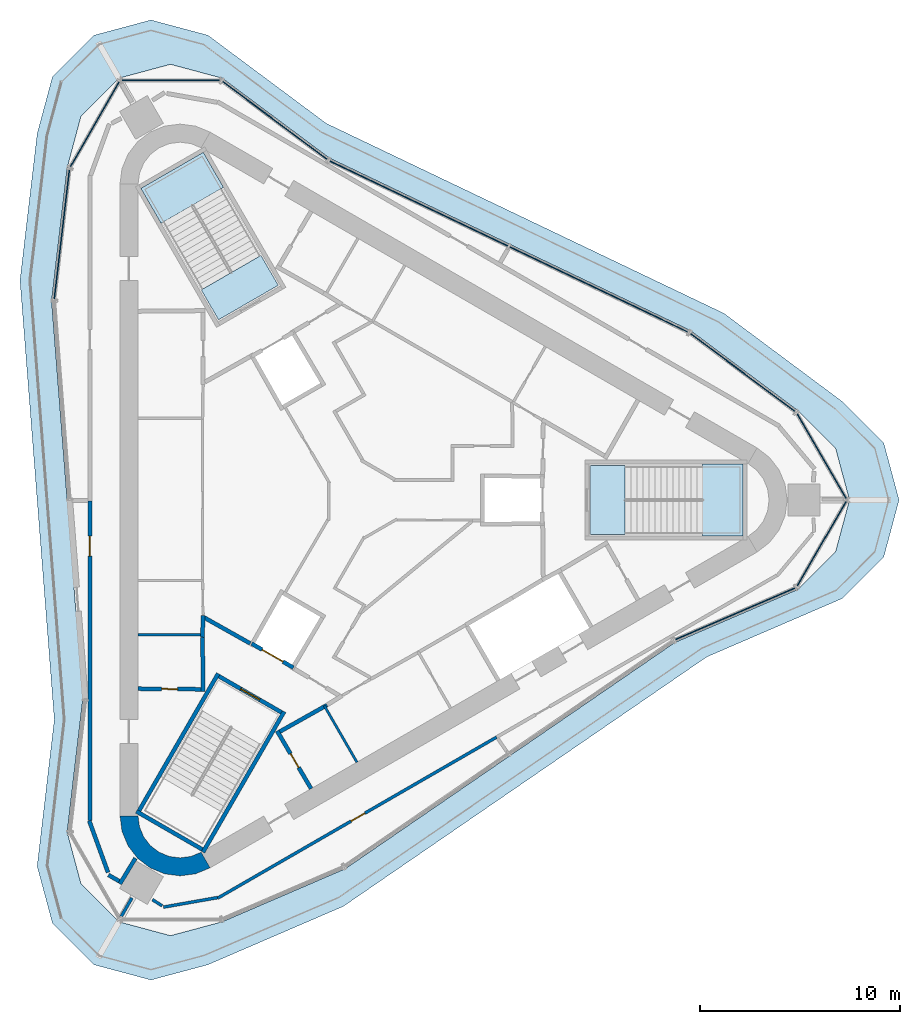
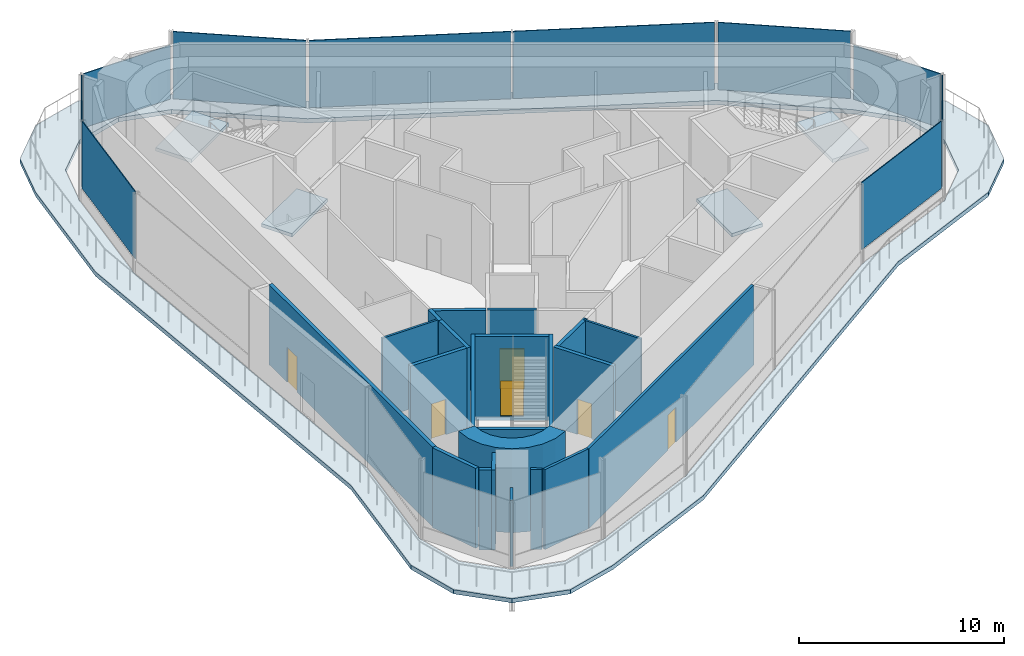
# One storey, part 3 of 9: 22 walls, 10 plates, 6 doors, 5 slabs, 6 openings, 11 elements without a shape of their own.
"""IFC4 building model written with IfcOpenShell, lengths in metres."""

from ifc_helpers import new_model, si_unit, direction, frame, frame_2d, origin, origin_2d, place, context, subcontext, project, spatial, polyline, rectangle, outline, extrude, material, layer, layer_set, type_object, element, fill, aggregate, save


model = new_model("IFC4")

# Units and contexts
model_context = context("Model", 3, precision=1e-05, world=origin(), true_north=direction((0.0, 1.0)))
body_context = subcontext(model_context, "Body", "Model", "MODEL_VIEW")
ifc_project = project(units=[si_unit("LENGTHUNIT", "METRE"), si_unit("AREAUNIT", "SQUARE_METRE"), si_unit("VOLUMEUNIT", "CUBIC_METRE"), si_unit("PLANEANGLEUNIT", "RADIAN"), si_unit("MASSUNIT", "GRAM", prefix="KILO")], contexts=[model_context])

# Site, building, storey
site_placement = place(None, origin())
site = spatial("IfcSite", under=ifc_project, at=site_placement, CompositionType="ELEMENT")
building_placement = place(site_placement, origin())
building = spatial("IfcBuilding", under=site, at=building_placement, Name="Tanit Gate Tower", CompositionType="ELEMENT")
storey_placement = place(building_placement, frame((0.0, 0.0, 430.300048828125)))
storey = spatial("IfcBuildingStorey", under=building, at=storey_placement, Name="L97", CompositionType="ELEMENT", Elevation=430.300048828125)

# Stair, slab
ifc_material_1 = material(Name="Concrete C40/50", Category="concrete")
stair_type = type_object("IfcStairType", Name="INT-STAIR-EXIT", PredefinedType="HALF_TURN_STAIR", material=ifc_material_1)
stair_1_placement = place(storey_placement, origin())
stair_1 = element("IfcStair", 1, at=stair_1_placement, inside=storey, type_object=stair_type, Name="L97 STAIR S1", PredefinedType="HALF_TURN_STAIR")
ifc_material_2 = material(Name="Concrete C40/50", Category="concrete")
ifc_layer_1 = layer(ifc_material_2, 0.199951171875)
ifc_layer_set_1 = layer_set([ifc_layer_1], Name="INT-STAIR-LANDING")
slab_type_1 = type_object("IfcSlabType", Name="INT-STAIR-LANDING", PredefinedType="LANDING", material=ifc_layer_set_1)
slab_1_placement = place(storey_placement, frame((0.0, 0.0, 2.300048828125)))
slab_1 = element("IfcSlab", 2, at=slab_1_placement, type_object=slab_type_1, Name="S1 landing 1", PredefinedType="LANDING", context=body_context, shape_type="SweptSolid", body=[
    extrude(outline(polyline([(16.985107421875, -1.800048828125), (19.0, -1.800048828125), (19.0, 1.800048828125), (16.985107421875, 1.800048828125), (16.985107421875, -1.800048828125)])), origin(), (0.0, 0.0, 1.0), 0.199951171875),
])
aggregate(stair_1, [slab_1])

# Slab
slab_2_placement = place(storey_placement, frame((0.0, 0.0, -0.199951171875)))
element("IfcSlab", 3, at=slab_2_placement, inside=storey, type_object=slab_type_1, Name="S1 floor landing", PredefinedType="LANDING", context=body_context, shape_type="SweptSolid", body=[
    extrude(outline(polyline([(11.3798828125, -1.719970703125), (13.10498046875, -1.719970703125), (13.10498046875, 1.719970703125), (11.3798828125, 1.719970703125), (11.3798828125, -1.719970703125)])), origin(), (0.0, 0.0, 1.0), 0.199951171875),
])

# Stair, slab
stair_2_placement = place(storey_placement, origin())
stair_2 = element("IfcStair", 4, at=stair_2_placement, inside=storey, type_object=stair_type, Name="L97 STAIR S2", PredefinedType="HALF_TURN_STAIR")
slab_3_placement = place(storey_placement, frame((0.0, 0.0, 2.300048828125)))
slab_3 = element("IfcSlab", 5, at=slab_3_placement, type_object=slab_type_1, Name="S2 landing 1", PredefinedType="LANDING", context=body_context, shape_type="SweptSolid", body=[
    extrude(outline(polyline([(-6.93310546875, 15.608642578125), (-7.941162109375, 17.3544921875), (-11.058837890625, 15.554443359375), (-10.05078125, 13.80859375), (-6.93310546875, 15.608642578125)])), origin(), (0.0, 0.0, 1.0), 0.199951171875),
])
aggregate(stair_2, [slab_3])

# Slab
slab_4_placement = place(storey_placement, frame((0.0, 0.0, -0.199951171875)))
element("IfcSlab", 6, at=slab_4_placement, inside=storey, type_object=slab_type_1, Name="S2 floor landing", PredefinedType="LANDING", context=body_context, shape_type="SweptSolid", body=[
    extrude(outline(polyline([(-4.200439453125, 10.71533203125), (-5.0625, 12.20849609375), (-8.04150390625, 10.48828125), (-7.179443359375, 8.995361328125), (-4.200439453125, 10.71533203125)])), origin(), (0.0, 0.0, 1.0), 0.199951171875),
])

# Curtain wall, plate
ifc_material_3 = material(Name="Aluminium bronze anodised and glass", Category="aluminium")
curtain_wall_type = type_object("IfcCurtainWallType", Name="Curtain wall plant screen", PredefinedType="NOTDEFINED", material=ifc_material_3)
curtain_wall_1_placement = place(storey_placement, origin())
curtain_wall_1 = element("IfcCurtainWall", 7, at=curtain_wall_1_placement, inside=storey, type_object=curtain_wall_type, Name="Curtain wall L97 NE1", PredefinedType="NOTDEFINED")
ifc_material_4 = material(Name="Aluminium bronze anodised louvre", Category="aluminium")
ifc_layer_2 = layer(ifc_material_4, 0.050048828125)
ifc_layer_set_2 = layer_set([ifc_layer_2], Name="Louvre panel 50 plant screen")
plate_type = type_object("IfcPlateType", Name="Louvre panel 50 plant screen", PredefinedType="CURTAIN_PANEL", material=ifc_layer_set_2)
plate_1_placement = place(storey_placement, frame((18.9833984375, 6.3642578125, 0.75), z_axis=(0.0, 0.0, 1.0), x_axis=(-0.801987717098, 0.59734052401, 0.0)))
plate_1 = element("IfcPlate", 8, at=plate_1_placement, type_object=plate_type, Name="Louvre panel L97 NE1.1", PredefinedType="CURTAIN_PANEL", context=body_context, shape_type="SweptSolid", body=[
    extrude(rectangle(XDim=6.5, YDim=0.050048828125, at=origin_2d()), origin(), (0.0, 0.0, 1.0), 4.0),
])
aggregate(curtain_wall_1, [plate_1])

# Curtain wall, plates
curtain_wall_2_placement = place(storey_placement, origin())
curtain_wall_2 = element("IfcCurtainWall", 9, at=curtain_wall_2_placement, inside=storey, type_object=curtain_wall_type, Name="Curtain wall L97 NE2", PredefinedType="NOTDEFINED")
plate_2_placement = place(storey_placement, frame((11.79052734375, 10.513671875, 0.75), z_axis=(0.0, 0.0, 1.0), x_axis=(-0.902317145415, 0.431072811819, 0.0)))
plate_2 = element("IfcPlate", 10, at=plate_2_placement, type_object=plate_type, Name="Louvre panel L97 NE2.1", PredefinedType="CURTAIN_PANEL", context=body_context, shape_type="SweptSolid", body=[
    extrude(rectangle(XDim=9.863037109375, YDim=0.050048828125, at=origin_2d()), origin(), (0.0, 0.0, 1.0), 4.0),
])
plate_3_placement = place(storey_placement, frame((2.81884765625, 14.7998046875, 0.75), z_axis=(0.0, 0.0, 1.0), x_axis=(-0.902317145415, 0.431072811819, 0.0)))
plate_3 = element("IfcPlate", 11, at=plate_3_placement, type_object=plate_type, Name="Louvre panel L97 NE2.2", PredefinedType="CURTAIN_PANEL", context=body_context, shape_type="SweptSolid", body=[
    extrude(rectangle(XDim=9.863037109375, YDim=0.050048828125, at=origin_2d()), origin(), (0.0, 0.0, 1.0), 4.0),
])
aggregate(curtain_wall_2, [plate_2, plate_3])

# Curtain wall, plate
curtain_wall_3_placement = place(storey_placement, origin())
curtain_wall_3 = element("IfcCurtainWall", 12, at=curtain_wall_3_placement, inside=storey, type_object=curtain_wall_type, Name="Curtain wall L97 NE3", PredefinedType="NOTDEFINED")
plate_4_placement = place(storey_placement, frame((-4.37744140625, 18.9521484375, 0.75), z_axis=(0.0, 0.0, 1.0), x_axis=(-0.801987717098, 0.59734052401, 0.0)))
plate_4 = element("IfcPlate", 13, at=plate_4_placement, type_object=plate_type, Name="Louvre panel L97 NE3.1", PredefinedType="CURTAIN_PANEL", context=body_context, shape_type="SweptSolid", body=[
    extrude(rectangle(XDim=6.50927734375, YDim=0.050048828125, at=origin_2d()), origin(), (0.0, 0.0, 1.0), 4.0),
])
aggregate(curtain_wall_3, [plate_4])

curtain_wall_4_placement = place(storey_placement, origin())
curtain_wall_4 = element("IfcCurtainWall", 14, at=curtain_wall_4_placement, inside=storey, type_object=curtain_wall_type, Name="Curtain wall L97 NW.arc1", PredefinedType="NOTDEFINED")
plate_5_placement = place(storey_placement, frame((-9.57275390625, 20.9453125, 0.75), z_axis=(0.0, 0.0, 1.0), x_axis=(-0.99999988904, 0.000471083302, 0.0)))
plate_5 = element("IfcPlate", 15, at=plate_5_placement, type_object=plate_type, Name="Louvre panel L97 NW.arc1.1", PredefinedType="CURTAIN_PANEL", context=body_context, shape_type="SweptSolid", body=[
    extrude(rectangle(XDim=4.881591796875, YDim=0.050048828125, at=origin_2d()), origin(), (0.0, 0.0, 1.0), 3.2099609375),
])
aggregate(curtain_wall_4, [plate_5])

curtain_wall_5_placement = place(storey_placement, origin())
curtain_wall_5 = element("IfcCurtainWall", 16, at=curtain_wall_5_placement, inside=storey, type_object=curtain_wall_type, Name="Curtain wall L97 NW.arc2", PredefinedType="NOTDEFINED")
plate_6_placement = place(storey_placement, frame((-13.354736328125, 18.755859375, 0.75), z_axis=(0.0, 0.0, 1.0), x_axis=(-0.498960988441, -0.866624446929, 0.0)))
plate_6 = element("IfcPlate", 17, at=plate_6_placement, type_object=plate_type, Name="Louvre panel L97 NW.arc2.1", PredefinedType="CURTAIN_PANEL", context=body_context, shape_type="SweptSolid", body=[
    extrude(rectangle(XDim=4.895263671875, YDim=0.050048828125, at=origin_2d()), origin(), (0.0, 0.0, 1.0), 3.2099609375),
])
aggregate(curtain_wall_5, [plate_6])

curtain_wall_6_placement = place(storey_placement, origin())
curtain_wall_6 = element("IfcCurtainWall", 18, at=curtain_wall_6_placement, inside=storey, type_object=curtain_wall_type, Name="Curtain wall L97 W1", PredefinedType="NOTDEFINED")
plate_7_placement = place(storey_placement, frame((-15.003173828125, 13.2578125, 0.75), z_axis=(0.0, 0.0, 1.0), x_axis=(-0.116318209953, -0.993211998535, 0.0)))
plate_7 = element("IfcPlate", 19, at=plate_7_placement, type_object=plate_type, Name="Louvre panel L97 W1.1", PredefinedType="CURTAIN_PANEL", context=body_context, shape_type="SweptSolid", body=[
    extrude(rectangle(XDim=6.5, YDim=0.050048828125, at=origin_2d()), origin(), (0.0, 0.0, 1.0), 4.0),
])
aggregate(curtain_wall_6, [plate_7])

curtain_wall_7_placement = place(storey_placement, origin())
curtain_wall_7 = element("IfcCurtainWall", 20, at=curtain_wall_7_placement, inside=storey, type_object=curtain_wall_type, Name="Curtain wall L97 SE3", PredefinedType="NOTDEFINED")
plate_8_placement = place(storey_placement, frame((18.601806640625, -5.68505859375, 0.75), z_axis=(0.0, 0.0, 1.0), x_axis=(0.918305927051, 0.395871474525, 0.0)))
plate_8 = element("IfcPlate", 21, at=plate_8_placement, type_object=plate_type, Name="Louvre panel L97 SE3.1", PredefinedType="CURTAIN_PANEL", context=body_context, shape_type="SweptSolid", body=[
    extrude(rectangle(XDim=6.50927734375, YDim=0.050048828125, at=origin_2d()), origin(), (0.0, 0.0, 1.0), 4.0),
])
aggregate(curtain_wall_7, [plate_8])

curtain_wall_8_placement = place(storey_placement, origin())
curtain_wall_8 = element("IfcCurtainWall", 22, at=curtain_wall_8_placement, inside=storey, type_object=curtain_wall_type, Name="Curtain wall L97 E.arc1", PredefinedType="NOTDEFINED")
plate_9_placement = place(storey_placement, frame((22.925537109375, -2.182373046875, 0.75), z_axis=(0.0, 0.0, 1.0), x_axis=(0.500407914627, 0.865789766039, 0.0)))
plate_9 = element("IfcPlate", 23, at=plate_9_placement, type_object=plate_type, Name="Louvre panel L97 E.arc1.1", PredefinedType="CURTAIN_PANEL", context=body_context, shape_type="SweptSolid", body=[
    extrude(rectangle(XDim=4.881591796875, YDim=0.050048828125, at=origin_2d()), origin(), (0.0, 0.0, 1.0), 3.2099609375),
])
aggregate(curtain_wall_8, [plate_9])

curtain_wall_9_placement = place(storey_placement, origin())
curtain_wall_9 = element("IfcCurtainWall", 24, at=curtain_wall_9_placement, inside=storey, type_object=curtain_wall_type, Name="Curtain wall L97 E.arc2", PredefinedType="NOTDEFINED")
plate_10_placement = place(storey_placement, frame((22.92041015625, 2.1875, 0.75), z_axis=(0.0, 0.0, 1.0), x_axis=(-0.50103829236, 0.865425114951, 0.0)))
plate_10 = element("IfcPlate", 25, at=plate_10_placement, type_object=plate_type, Name="Louvre panel L97 E.arc2.1", PredefinedType="CURTAIN_PANEL", context=body_context, shape_type="SweptSolid", body=[
    extrude(rectangle(XDim=4.895263671875, YDim=0.050048828125, at=origin_2d()), origin(), (0.0, 0.0, 1.0), 3.2099609375),
])
aggregate(curtain_wall_9, [plate_10])

# Slab
ifc_material_5 = material(Name="Concrete C35/45", Category="concrete")
ifc_layer_3 = layer(ifc_material_5, 0.25)
ifc_layer_set_3 = layer_set([ifc_layer_3], Name="TERRACE SLAB 250 C35/45")
slab_type_2 = type_object("IfcSlabType", Name="TERRACE SLAB 250 C35/45", PredefinedType="FLOOR", material=ifc_layer_set_3)
slab_5_placement = place(storey_placement, frame((0.0, 0.0, -0.25)))
element("IfcSlab", 26, at=slab_5_placement, inside=storey, type_object=slab_type_2, Name="TERRACE SLAB L97", PredefinedType="FLOOR", context=body_context, shape_type="SweptSolid", body=[
    extrude(outline(polyline([(26.02490234375, 2.8408203125), (26.7861328125, 0.0), (26.02490234375, -2.8408203125), (23.945068359375, -4.920654296875), (17.185791015625, -7.83447265625), (-0.951904296875, -20.283447265625), (-7.711181640625, -23.197509765625), (-10.552001953125, -23.95849609375), (-13.39306640625, -23.197509765625), (-15.47265625, -21.11767578125), (-16.23388671875, -18.276611328125), (-15.377685546875, -10.966064453125), (-17.090087890625, 10.966064453125), (-16.23388671875, 18.276611328125), (-15.47265625, 21.11767578125), (-13.39306640625, 23.197509765625), (-10.552001953125, 23.95849609375), (-7.711181640625, 23.197509765625), (-1.80810546875, 18.800537109375), (18.0419921875, 9.3173828125), (23.945068359375, 4.920654296875), (26.02490234375, 2.8408203125)]), holes=[polyline([(16.375, 8.45654296875), (-1.640869140625, 17.0634765625), (-6.99853515625, 21.053955078125), (-9.5771484375, 21.744873046875), (-12.155517578125, 21.053955078125), (-14.043212890625, 19.16650390625), (-14.73388671875, 16.587890625), (-15.510986328125, 9.952880859375), (-13.956787109375, -9.952880859375), (-14.73388671875, -16.587890625), (-14.043212890625, -19.16650390625), (-12.155517578125, -21.053955078125), (-9.5771484375, -21.744873046875), (-6.99853515625, -21.053955078125), (-0.864013671875, -18.409423828125), (15.597900390625, -7.110595703125), (21.732666015625, -4.466064453125), (23.6201171875, -2.578369140625), (24.31103515625, 0.0), (23.6201171875, 2.578369140625), (21.732666015625, 4.466064453125), (16.375, 8.45654296875)])]), origin(), (0.0, 0.0, 1.0), 0.25),
])

# Walls
ifc_material_6 = material(Name="Concrete C40/50", Category="concrete")
ifc_layer_4 = layer(ifc_material_6, 0.89990234375)
ifc_layer_set_4 = layer_set([ifc_layer_4], Name="CORE WALL 900 C40/50")
wall_type_1 = type_object("IfcWallType", Name="CORE WALL 900 C40/50", PredefinedType="SHEAR", material=ifc_layer_set_4)
wall_1_placement = place(storey_placement, origin())
element("IfcWall", 27, at=wall_1_placement, inside=storey, type_object=wall_type_1, Name="CORE WALL CORNER", PredefinedType="SHEAR", context=body_context, shape_type="SweptSolid", body=[
    extrude(outline(polyline([(-12.10009765625, -15.76171875), (-11.997802734375, -16.5380859375), (-11.697998046875, -17.26171875), (-11.22119140625, -17.883056640625), (-10.60009765625, -18.359619140625), (-9.87646484375, -18.659423828125), (-9.10009765625, -18.76171875), (-8.323486328125, -18.659423828125), (-7.60009765625, -18.359619140625), (-8.050048828125, -17.580322265625), (-8.556396484375, -17.7900390625), (-9.10009765625, -17.86181640625), (-9.6435546875, -17.7900390625), (-10.14990234375, -17.580322265625), (-10.5849609375, -17.24658203125), (-10.918701171875, -16.811767578125), (-11.12841796875, -16.30517578125), (-11.199951171875, -15.76171875), (-12.10009765625, -15.76171875)])), origin(), (0.0, 0.0, 1.0), 5.0),
])
ifc_material_7 = material(Name="Fire-rated gypsum board partition")
ifc_layer_5 = layer(ifc_material_7, 0.199951171875)
ifc_layer_set_5 = layer_set([ifc_layer_5], Name="INT-WALL-COMPARTMENT")
wall_type_2 = type_object("IfcWallType", Name="INT-WALL-COMPARTMENT", PredefinedType="PARTITIONING", material=ifc_layer_set_5)
wall_2_placement = place(storey_placement, frame((-7.983154296875, -6.849853515625, 0.0), z_axis=(0.0, 0.0, 1.0), x_axis=(0.030803413295, 0.999525462272, 0.0)))
element("IfcWall", 28, at=wall_2_placement, inside=storey, type_object=wall_type_2, Name="Wall Compartment W040", PredefinedType="PARTITIONING", context=body_context, shape_type="SweptSolid", body=[
    extrude(rectangle(XDim=1.077880859375, YDim=0.199951171875, at=frame_2d((0.5390625, 0.0))), origin(), (0.0, 0.0, 1.0), 4.75),
])
wall_3_placement = place(storey_placement, frame((-7.948974609375, -9.550048828125, 0.0), z_axis=(0.0, 0.0, 1.0), x_axis=(-0.011121475088, 0.999938154483, 0.0)))
element("IfcWall", 29, at=wall_3_placement, inside=storey, type_object=wall_type_2, Name="Wall Compartment W042", PredefinedType="PARTITIONING", context=body_context, shape_type="SweptSolid", body=[
    extrude(rectangle(XDim=2.7001953125, YDim=0.199951171875, at=frame_2d((1.35009765625, 0.0))), origin(), (0.0, 0.0, 1.0), 4.75),
])

# Wall, opening, door
wall_4_placement = place(storey_placement, frame((-11.199951171875, -9.419921875, 0.0), z_axis=(0.0, 0.0, 1.0), x_axis=(0.999957467379, -0.009222983926, 0.0)))
wall_4 = element("IfcWall", 30, at=wall_4_placement, inside=storey, type_object=wall_type_2, Name="Wall Compartment W043", PredefinedType="PARTITIONING", context=body_context, shape_type="SweptSolid", body=[
    extrude(rectangle(XDim=3.150146484375, YDim=0.199951171875, at=frame_2d((1.5751953125, 0.0))), origin(), (0.0, 0.0, 1.0), 4.75),
])
opening_1_placement = place(wall_4_placement, frame((1.175048828125, 0.0, 0.0)))
opening_1 = element("IfcOpeningElement", 31, at=opening_1_placement, cuts=wall_4, Name="Opening R08-97-17", PredefinedType="OPENING", context=body_context, shape_type="SweptSolid", body=[
    extrude(rectangle(XDim=0.800048828125, YDim=2.10009765625, at=frame_2d((0.39990234375, 1.050048828125))), frame((0.0, 0.10986328125, 0.0), z_axis=(0.0, -1.0, 0.0), x_axis=(1.0, 0.0, 0.0)), (0.0, 0.0, 1.0), 0.219970703125),
])
ifc_material_8 = material(Name="Timber door leaf", Category="wood")
door_type_1 = type_object("IfcDoorType", Name="INT-DOOR-RISER-800", OperationType="NOTDEFINED", PredefinedType="USERDEFINED", material=ifc_material_8)
door_1_placement = place(opening_1_placement, origin())
door_1 = element("IfcDoor", 32, at=door_1_placement, inside=storey, type_object=door_type_1, Name="Door R08-97-17", ObjectType="FIRE DOOR", OperationType="SINGLE_SWING_LEFT", OverallHeight=2.10009765625, OverallWidth=0.800048828125, PredefinedType="USERDEFINED", context=body_context, shape_type="SweptSolid", body=[
    extrude(rectangle(XDim=0.800048828125, YDim=2.10009765625, at=frame_2d((0.39990234375, 1.050048828125))), frame((0.0, 0.02490234375, 0.0), z_axis=(0.0, -1.0, 0.0), x_axis=(1.0, 0.0, 0.0)), (0.0, 0.0, 1.0), 0.050048828125),
])
fill(opening_1, door_1)

wall_5_placement = place(storey_placement, frame((-4.259765625, -11.523681640625, 0.0), z_axis=(0.0, 0.0, 1.0), x_axis=(0.507997497166, -0.861358544901, 0.0)))
wall_5 = element("IfcWall", 33, at=wall_5_placement, inside=storey, type_object=wall_type_2, Name="Wall Compartment W056", PredefinedType="PARTITIONING", context=body_context, shape_type="SweptSolid", body=[
    extrude(rectangle(XDim=3.350341796875, YDim=0.199951171875, at=frame_2d((1.67529296875, 0.0))), origin(), (0.0, 0.0, 1.0), 4.75),
])
opening_2_placement = place(wall_5_placement, frame((1.3251953125, 0.0, 0.0)))
opening_2 = element("IfcOpeningElement", 34, at=opening_2_placement, cuts=wall_5, Name="Opening R08-97-22", PredefinedType="OPENING", context=body_context, shape_type="SweptSolid", body=[
    extrude(rectangle(XDim=0.800048828125, YDim=2.10009765625, at=frame_2d((0.39990234375, 1.050048828125))), frame((0.0, 0.10986328125, 0.0), z_axis=(0.0, -1.0, 0.0), x_axis=(1.0, 0.0, 0.0)), (0.0, 0.0, 1.0), 0.219970703125),
])
door_2_placement = place(opening_2_placement, origin())
door_2 = element("IfcDoor", 35, at=door_2_placement, inside=storey, type_object=door_type_1, Name="Door R08-97-22", ObjectType="FIRE DOOR", OperationType="SINGLE_SWING_LEFT", OverallHeight=2.10009765625, OverallWidth=0.800048828125, PredefinedType="USERDEFINED", context=body_context, shape_type="SweptSolid", body=[
    extrude(rectangle(XDim=0.800048828125, YDim=2.10009765625, at=frame_2d((0.39990234375, 1.050048828125))), frame((0.0, 0.02490234375, 0.0), z_axis=(0.0, -1.0, 0.0), x_axis=(1.0, 0.0, 0.0)), (0.0, 0.0, 1.0), 0.050048828125),
])
fill(opening_2, door_2)

# Walls
wall_6_placement = place(storey_placement, frame((-1.7685546875, -10.23681640625, 0.0), z_axis=(0.0, 0.0, 1.0), x_axis=(-0.871534483978, -0.490334215854, 0.0)))
element("IfcWall", 36, at=wall_6_placement, inside=storey, type_object=wall_type_2, Name="Wall Compartment W057", PredefinedType="PARTITIONING", context=body_context, shape_type="SweptSolid", body=[
    extrude(rectangle(XDim=2.7001953125, YDim=0.199951171875, at=frame_2d((1.35009765625, 0.0))), origin(), (0.0, 0.0, 1.0), 4.75),
])
wall_7_placement = place(storey_placement, frame((-7.95947265625, -5.83154296875, 0.0), z_axis=(0.0, 0.0, 1.0), x_axis=(0.871322567751, -0.490710691679, 0.0)))
element("IfcWall", 37, at=wall_7_placement, inside=storey, type_object=wall_type_2, Name="Wall Compartment W069", PredefinedType="PARTITIONING", context=body_context, shape_type="SweptSolid", body=[
    extrude(rectangle(XDim=2.70751953125, YDim=0.199951171875, at=frame_2d((1.353759765625, 0.0))), origin(), (0.0, 0.0, 1.0), 4.75),
])
wall_8_placement = place(storey_placement, frame((-12.104248046875, -19.1611328125, 0.0), z_axis=(0.0, 0.0, 1.0), x_axis=(0.518475368733, 0.855092563421, 0.0)))
element("IfcWall", 38, at=wall_8_placement, inside=storey, type_object=wall_type_2, Name="Wall Compartment W092", PredefinedType="PARTITIONING", context=body_context, shape_type="SweptSolid", body=[
    extrude(rectangle(XDim=1.49560546875, YDim=0.199951171875, at=frame_2d((0.747802734375, 0.0))), origin(), (0.0, 0.0, 1.0), 4.75),
])
wall_9_placement = place(storey_placement, frame((-12.674560546875, -18.716552734375, 0.0), z_axis=(0.0, 0.0, 1.0), x_axis=(0.866047486323, -0.49996174997, 0.0)))
element("IfcWall", 39, at=wall_9_placement, inside=storey, type_object=wall_type_2, Name="Wall Compartment W093", PredefinedType="PARTITIONING", context=body_context, shape_type="SweptSolid", body=[
    extrude(rectangle(XDim=0.6181640625, YDim=0.199951171875, at=frame_2d((0.30908203125, 0.0))), origin(), (0.0, 0.0, 1.0), 4.75),
])
wall_10_placement = place(storey_placement, frame((-13.63427734375, -16.011474609375, 0.0), z_axis=(0.0, 0.0, 1.0), x_axis=(0.342043269434, -0.939684203248, 0.0)))
element("IfcWall", 40, at=wall_10_placement, inside=storey, type_object=wall_type_2, Name="Wall Compartment W094", PredefinedType="PARTITIONING", context=body_context, shape_type="SweptSolid", body=[
    extrude(rectangle(XDim=2.7421875, YDim=0.199951171875, at=frame_2d((1.37109375, 0.0))), origin(), (0.0, 0.0, 1.0), 4.75),
])

# Wall, opening, door
wall_11_placement = place(storey_placement, frame((-13.60009765625, -0.050048828125, 0.0), z_axis=(0.0, 0.0, 1.0), x_axis=(0.0, -1.0, 0.0)))
wall_11 = element("IfcWall", 41, at=wall_11_placement, inside=storey, type_object=wall_type_2, Name="Wall Compartment W095", PredefinedType="PARTITIONING", context=body_context, shape_type="SweptSolid", body=[
    extrude(rectangle(XDim=15.95556640625, YDim=0.199951171875, at=frame_2d((7.977783203125, 0.0))), origin(), (0.0, 0.0, 1.0), 4.75),
])
opening_3_placement = place(wall_11_placement, frame((1.75, 0.0, 0.0)))
opening_3 = element("IfcOpeningElement", 42, at=opening_3_placement, cuts=wall_11, Name="Opening F10-97-26", PredefinedType="OPENING", context=body_context, shape_type="SweptSolid", body=[
    extrude(rectangle(XDim=1.0, YDim=2.10009765625, at=frame_2d((0.5, 1.050048828125))), frame((0.0, 0.10986328125, 0.0), z_axis=(0.0, -1.0, 0.0), x_axis=(1.0, 0.0, 0.0)), (0.0, 0.0, 1.0), 0.219970703125),
])
ifc_material_9 = material(Name="Fire-rated steel door leaf", Category="steel")
door_type_2 = type_object("IfcDoorType", Name="INT-DOOR-FIRE-1000", OperationType="NOTDEFINED", PredefinedType="USERDEFINED", material=ifc_material_9)
door_3_placement = place(opening_3_placement, origin())
door_3 = element("IfcDoor", 43, at=door_3_placement, inside=storey, type_object=door_type_2, Name="Door F10-97-26", ObjectType="FIRE DOOR", OperationType="SINGLE_SWING_LEFT", OverallHeight=2.10009765625, OverallWidth=1.0, PredefinedType="USERDEFINED", context=body_context, shape_type="SweptSolid", body=[
    extrude(rectangle(XDim=1.0, YDim=2.10009765625, at=frame_2d((0.5, 1.050048828125))), frame((0.0, 0.02490234375, 0.0), z_axis=(0.0, -1.0, 0.0), x_axis=(1.0, 0.0, 0.0)), (0.0, 0.0, 1.0), 0.050048828125),
])
fill(opening_3, door_3)

# Walls
ifc_material_10 = material(Name="Gypsum board partition")
ifc_layer_6 = layer(ifc_material_10, 0.1201171875)
ifc_layer_set_6 = layer_set([ifc_layer_6], Name="INT-WALL-PARTITION")
wall_type_3 = type_object("IfcWallType", Name="INT-WALL-PARTITION", PredefinedType="PARTITIONING", material=ifc_layer_set_6)
for number, where, z_axis, x_axis, name in (
    (44, (-11.199951171875, -6.719970703125, 0.0), (0.0, 0.0, 1.0), (1.0, 0.0, 0.0), "Wall Partition W039"),
    (45, (-1.896728515625, -10.27490234375, 0.0), (0.0, 0.0, 1.0), (0.499984717929, -0.866034226713, 0.0), "Wall Partition W055"),
):
    element("IfcWall", number, at=place(storey_placement, frame(where, z_axis=z_axis, x_axis=x_axis)), inside=storey, type_object=wall_type_3, Name=name, PredefinedType="PARTITIONING", context=body_context, shape_type="SweptSolid", body=[
        extrude(rectangle(XDim=3.25, YDim=0.1201171875, at=frame_2d((1.625, 0.0))), origin(), (0.0, 0.0, 1.0), 4.75),
    ])
ifc_material_11 = material(Name="Fire-rated gypsum board partition")
ifc_layer_7 = layer(ifc_material_11, 0.14990234375)
ifc_layer_set_7 = layer_set([ifc_layer_7], Name="INT-WALL-RISER")
wall_type_4 = type_object("IfcWallType", Name="INT-WALL-RISER", PredefinedType="PLUMBINGWALL", material=ifc_layer_set_7)
wall_12_placement = place(storey_placement, frame((-11.50146484375, -19.861083984375, 0.0), z_axis=(0.0, 0.0, 1.0), x_axis=(-0.500107244371, -0.865963477364, 0.0)))
element("IfcWall", 46, at=wall_12_placement, inside=storey, type_object=wall_type_4, Name="Wall Riser W100", PredefinedType="PLUMBINGWALL", context=body_context, shape_type="SweptSolid", body=[
    extrude(rectangle(XDim=1.098388671875, YDim=0.14990234375, at=frame_2d((0.54931640625, 0.0))), origin(), (0.0, 0.0, 1.0), 3.929931640625),
])

# Wall, opening, door
wall_13_placement = place(storey_placement, frame((-7.212646484375, -19.8681640625, 0.0), z_axis=(0.0, 0.0, 1.0), x_axis=(0.866028156973, 0.499995231308, 0.0)))
wall_13 = element("IfcWall", 47, at=wall_13_placement, inside=storey, type_object=wall_type_4, Name="Wall Riser W110", PredefinedType="PLUMBINGWALL", context=body_context, shape_type="SweptSolid", body=[
    extrude(rectangle(XDim=16.063232421875, YDim=0.14990234375, at=frame_2d((8.03173828125, 0.0))), origin(), (0.0, 0.0, 1.0), 4.75),
])
opening_4_placement = place(wall_13_placement, frame((7.675048828125, 0.0, 0.0)))
opening_4 = element("IfcOpeningElement", 48, at=opening_4_placement, cuts=wall_13, Name="Opening R08-97-30", PredefinedType="OPENING", context=body_context, shape_type="SweptSolid", body=[
    extrude(rectangle(XDim=0.800048828125, YDim=2.10009765625, at=frame_2d((0.39990234375, 1.050048828125))), frame((0.0, 0.0849609375, 0.0), z_axis=(0.0, -1.0, 0.0), x_axis=(1.0, 0.0, 0.0)), (0.0, 0.0, 1.0), 0.169921875),
])
door_4_placement = place(opening_4_placement, origin())
door_4 = element("IfcDoor", 49, at=door_4_placement, inside=storey, type_object=door_type_1, Name="Door R08-97-30", ObjectType="FIRE DOOR", OperationType="SINGLE_SWING_RIGHT", OverallHeight=2.10009765625, OverallWidth=0.800048828125, PredefinedType="USERDEFINED", context=body_context, shape_type="SweptSolid", body=[
    extrude(rectangle(XDim=0.800048828125, YDim=2.10009765625, at=frame_2d((0.39990234375, 1.050048828125))), frame((0.0, 0.02490234375, 0.0), z_axis=(0.0, -1.0, 0.0), x_axis=(1.0, 0.0, 0.0)), (0.0, 0.0, 1.0), 0.050048828125),
])
fill(opening_4, door_4)

# Walls
wall_14_placement = place(storey_placement, frame((-9.931884765625, -20.321533203125, 0.0), z_axis=(0.0, 0.0, 1.0), x_axis=(0.984813908974, 0.173613261856, 0.0)))
element("IfcWall", 50, at=wall_14_placement, inside=storey, type_object=wall_type_4, Name="Wall Riser W111", PredefinedType="PLUMBINGWALL", context=body_context, shape_type="SweptSolid", body=[
    extrude(rectangle(XDim=2.751953125, YDim=0.14990234375, at=frame_2d((1.3759765625, 0.0))), origin(), (0.0, 0.0, 1.0), 4.75),
])
wall_15_placement = place(storey_placement, frame((-10.478759765625, -19.94970703125, 0.0), z_axis=(0.0, 0.0, 1.0), x_axis=(0.843309487859, -0.537428234917, 0.0)))
element("IfcWall", 51, at=wall_15_placement, inside=storey, type_object=wall_type_4, Name="Wall Riser W112", PredefinedType="PLUMBINGWALL", context=body_context, shape_type="SweptSolid", body=[
    extrude(rectangle(XDim=0.571533203125, YDim=0.14990234375, at=frame_2d((0.28564453125, 0.0))), origin(), (0.0, 0.0, 1.0), 4.75),
])

# Wall, opening, door
ifc_material_12 = material(Name="Gypsum shaft wall system")
ifc_layer_8 = layer(ifc_material_12, 0.199951171875)
ifc_layer_set_8 = layer_set([ifc_layer_8], Name="INT-WALL-SHAFT")
wall_type_5 = type_object("IfcWallType", Name="INT-WALL-SHAFT", PredefinedType="PLUMBINGWALL", material=ifc_layer_set_8)
wall_16_placement = place(storey_placement, frame((-3.44580078125, -8.3681640625, 0.0), z_axis=(0.0, 0.0, 1.0), x_axis=(-0.866024647952, 0.500001309137, 0.0)))
wall_16 = element("IfcWall", 52, at=wall_16_placement, inside=storey, type_object=wall_type_5, Name="Wall Shaft W028", PredefinedType="PLUMBINGWALL", context=body_context, shape_type="SweptSolid", body=[
    extrude(rectangle(XDim=2.39990234375, YDim=0.199951171875, at=frame_2d((1.199951171875, 0.0))), origin(), (0.0, 0.0, 1.0), 4.75),
])
opening_5_placement = place(wall_16_placement, frame((0.60009765625, 0.0, 0.0)))
opening_5 = element("IfcOpeningElement", 53, at=opening_5_placement, cuts=wall_16, Name="Opening LDFL3-L97", PredefinedType="OPENING", context=body_context, shape_type="SweptSolid", body=[
    extrude(rectangle(XDim=1.199951171875, YDim=2.39990234375, at=frame_2d((0.60009765625, 1.199951171875))), frame((0.0, 0.10986328125, 0.0), z_axis=(0.0, -1.0, 0.0), x_axis=(1.0, 0.0, 0.0)), (0.0, 0.0, 1.0), 0.219970703125),
])
ifc_material_13 = material(Name="Stainless steel sliding door leaf", Category="steel")
door_type_3 = type_object("IfcDoorType", Name="INT-DOOR-LANDING-1200", OperationType="NOTDEFINED", PredefinedType="USERDEFINED", material=ifc_material_13)
door_5_placement = place(opening_5_placement, origin())
door_5 = element("IfcDoor", 54, at=door_5_placement, inside=storey, type_object=door_type_3, Name="Door LDFL3-L97", ObjectType="LANDING DOOR", OperationType="SLIDING_TO_LEFT", OverallHeight=2.39990234375, OverallWidth=1.199951171875, PredefinedType="USERDEFINED", context=body_context, shape_type="SweptSolid", body=[
    extrude(rectangle(XDim=1.199951171875, YDim=2.39990234375, at=frame_2d((0.60009765625, 1.199951171875))), frame((0.0, 0.02490234375, 0.0), z_axis=(0.0, -1.0, 0.0), x_axis=(1.0, 0.0, 0.0)), (0.0, 0.0, 1.0), 0.050048828125),
])
fill(opening_5, door_5)

# Walls
ifc_material_14 = material(Name="Concrete C40/50", Category="concrete")
ifc_layer_9 = layer(ifc_material_14, 0.199951171875)
ifc_layer_set_9 = layer_set([ifc_layer_9], Name="INT-WALL-STAIR")
wall_type_6 = type_object("IfcWallType", Name="INT-WALL-STAIR", PredefinedType="SHEAR", material=ifc_layer_set_9)
wall_17_placement = place(storey_placement, frame((-3.904541015625, -10.56298828125, -0.25), z_axis=(0.0, 0.0, 1.0), x_axis=(-0.500012932018, -0.866017937352, 0.0)))
element("IfcWall", 55, at=wall_17_placement, inside=storey, type_object=wall_type_6, Name="Wall Stair W024", PredefinedType="SHEAR", context=body_context, shape_type="SweptSolid", body=[
    extrude(rectangle(XDim=8.099853515625, YDim=0.199951171875, at=frame_2d((4.0498046875, 0.0))), origin(), (0.0, 0.0, 1.0), 5.0),
])
wall_18_placement = place(storey_placement, frame((-11.281982421875, -15.541015625, -0.25), z_axis=(0.0, 0.0, 1.0), x_axis=(0.866000483506, -0.500043160704, 0.0)))
element("IfcWall", 56, at=wall_18_placement, inside=storey, type_object=wall_type_6, Name="Wall Stair W025", PredefinedType="SHEAR", context=body_context, shape_type="SweptSolid", body=[
    extrude(rectangle(XDim=3.800048828125, YDim=0.199951171875, at=frame_2d((1.89990234375, 0.0))), origin(), (0.0, 0.0, 1.0), 5.0),
])
wall_19_placement = place(storey_placement, frame((-7.195556640625, -8.662841796875, -0.25), z_axis=(0.0, 0.0, 1.0), x_axis=(-0.499997992926, -0.866026562566, 0.0)))
element("IfcWall", 57, at=wall_19_placement, inside=storey, type_object=wall_type_6, Name="Wall Stair W026", PredefinedType="SHEAR", context=body_context, shape_type="SweptSolid", body=[
    extrude(rectangle(XDim=7.89990234375, YDim=0.199951171875, at=frame_2d((3.949951171875, 0.0))), origin(), (0.0, 0.0, 1.0), 5.0),
])

# Wall, opening, door
wall_20_placement = place(storey_placement, frame((-4.041259765625, -10.599365234375, -0.25), z_axis=(0.0, 0.0, 1.0), x_axis=(-0.866047807691, 0.499961193289, 0.0)))
wall_20 = element("IfcWall", 58, at=wall_20_placement, inside=storey, type_object=wall_type_6, Name="Wall Stair W027", PredefinedType="SHEAR", context=body_context, shape_type="SweptSolid", body=[
    extrude(rectangle(XDim=3.599853515625, YDim=0.199951171875, at=frame_2d((1.7998046875, 0.0))), origin(), (0.0, 0.0, 1.0), 5.0),
])
opening_6_placement = place(wall_20_placement, frame((1.25, 0.0, 0.25)))
opening_6 = element("IfcOpeningElement", 59, at=opening_6_placement, cuts=wall_20, Name="Opening S11-97-07", PredefinedType="OPENING", context=body_context, shape_type="SweptSolid", body=[
    extrude(rectangle(XDim=1.10009765625, YDim=2.10009765625, at=frame_2d((0.550048828125, 1.050048828125))), frame((0.0, 0.10986328125, 0.0), z_axis=(0.0, -1.0, 0.0), x_axis=(1.0, 0.0, 0.0)), (0.0, 0.0, 1.0), 0.219970703125),
])
ifc_material_15 = material(Name="Timber door leaf", Category="wood")
door_type_4 = type_object("IfcDoorType", Name="INT-DOOR-STAIR-1100", OperationType="NOTDEFINED", PredefinedType="USERDEFINED", material=ifc_material_15)
door_6_placement = place(opening_6_placement, origin())
door_6 = element("IfcDoor", 60, at=door_6_placement, inside=storey, type_object=door_type_4, Name="Door S11-97-07", ObjectType="FIRE DOOR", OperationType="SINGLE_SWING_LEFT", OverallHeight=2.10009765625, OverallWidth=1.10009765625, PredefinedType="USERDEFINED", context=body_context, shape_type="SweptSolid", body=[
    extrude(rectangle(XDim=1.10009765625, YDim=2.10009765625, at=frame_2d((0.550048828125, 1.050048828125))), frame((0.0, 0.02490234375, 0.0), z_axis=(0.0, -1.0, 0.0), x_axis=(1.0, 0.0, 0.0)), (0.0, 0.0, 1.0), 0.050048828125),
])
fill(opening_6, door_6)

save(model, "model.ifc")
